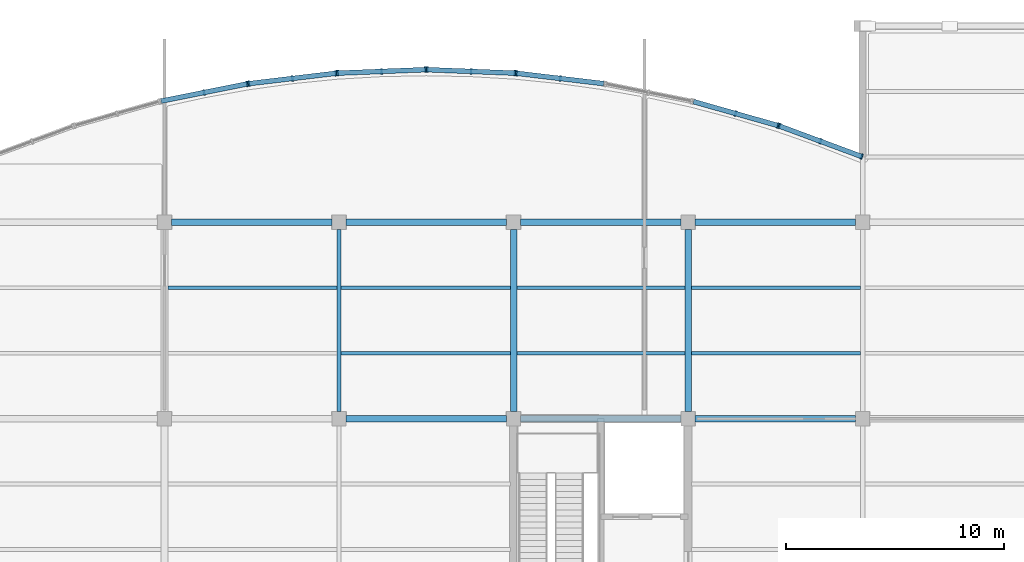
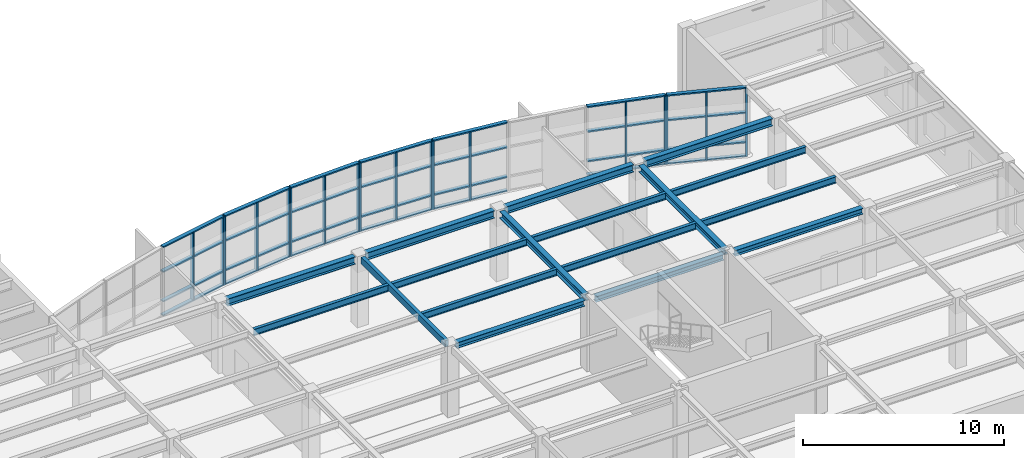
# One storey, part 4 of 16: 46 members, 17 beams, 7 elements without a shape of their own.
"""IFC4 building model written with IfcOpenShell, lengths in metres."""

from ifc_helpers import new_model, si_unit, direction, frame, origin, origin_2d, place, context, subcontext, project, spatial, rectangle, hollow_rectangle, i_section, extrude, material, layer, layer_set, material_profile, profile_set, type_object, element, aggregate, save


model = new_model("IFC4")

# Units and contexts
model_context = context("Model", 3, precision=1e-05, world=origin(), true_north=direction((0.0, 1.0)))
body_context = subcontext(model_context, "Body", "Model", "MODEL_VIEW")
ifc_project = project(units=[si_unit("LENGTHUNIT", "METRE"), si_unit("AREAUNIT", "SQUARE_METRE"), si_unit("VOLUMEUNIT", "CUBIC_METRE"), si_unit("PLANEANGLEUNIT", "RADIAN"), si_unit("MASSUNIT", "GRAM", prefix="KILO")], contexts=[model_context])

# Site, building, storey
site_placement = place(None, origin())
site = spatial("IfcSite", under=ifc_project, at=site_placement, CompositionType="ELEMENT")
building_placement = place(site_placement, origin())
building = spatial("IfcBuilding", under=site, at=building_placement, Name="Keelwater Ferry Terminal", CompositionType="ELEMENT")
storey_placement = place(building_placement, frame((0.0, 0.0, 15.0)))
storey = spatial("IfcBuildingStorey", under=building, at=storey_placement, Name="L03", CompositionType="ELEMENT", Elevation=15.0)

# Curtain wall, members
ifc_material_1 = material(Name="Thermally broken unitised aluminium and triple glass", Category="aluminium")
ifc_layer = layer(ifc_material_1, 0.179931640625)
ifc_layer_set = layer_set([ifc_layer], Name="Thermally broken unitised aluminium and triple glass")
curtain_wall_type = type_object("IfcCurtainWallType", Name="CW-22 Unitised Curtain Wall 4015x4150", PredefinedType="USERDEFINED", material=ifc_layer_set)
curtain_wall_1_placement = place(storey_placement, origin())
curtain_wall_1 = element("IfcCurtainWall", 1, at=curtain_wall_1_placement, inside=storey, type_object=curtain_wall_type, Name="Unitised Curtain Wall CW-L03-203", ObjectType="UNITISED CURTAIN WALL", PredefinedType="USERDEFINED")
ifc_material_2 = material(Name="Aluminium mullion", Category="aluminium")
ifc_material_profile_1 = material_profile(ifc_material_2, rectangle(XDim=0.080078125, YDim=0.25, at=origin_2d()), Name="CWM-04")
ifc_profile_set_1 = profile_set([ifc_material_profile_1], Name="Aluminium mullion")
member_type_1 = type_object("IfcMemberType", Name="CWM-04 Curtain Mullion 80x250", PredefinedType="MULLION", material=ifc_profile_set_1)
member_1_placement = place(storey_placement, frame((171.9580078125, 120.01611328125, 0.0), z_axis=(0.0, 0.0, 1.0), x_axis=(-0.937592418253, 0.347736189136, 0.0)))
member_1 = element("IfcMember", 2, at=member_1_placement, type_object=member_type_1, Name="CW-L03-203 Mullion 1", PredefinedType="MULLION", context=body_context, shape_type="SweptSolid", body=[
    extrude(rectangle(XDim=0.080078125, YDim=0.25, at=origin_2d()), origin(), (0.0, 0.0, 1.0), 4.14990234375),
])
member_2_placement = place(storey_placement, frame((170.075927734375, 120.714111328125, 0.0), z_axis=(0.0, 0.0, 1.0), x_axis=(-0.937592418253, 0.347736189136, 0.0)))
member_2 = element("IfcMember", 3, at=member_2_placement, type_object=member_type_1, Name="CW-L03-203 Mullion 2", PredefinedType="MULLION", context=body_context, shape_type="SweptSolid", body=[
    extrude(rectangle(XDim=0.080078125, YDim=0.25, at=origin_2d()), origin(), (0.0, 0.0, 1.0), 4.14990234375),
])
member_3_placement = place(storey_placement, frame((168.194091796875, 121.412109375, 0.0), z_axis=(0.0, 0.0, 1.0), x_axis=(-0.937592418253, 0.347736189136, 0.0)))
member_3 = element("IfcMember", 4, at=member_3_placement, type_object=member_type_1, Name="CW-L03-203 Mullion 3", PredefinedType="MULLION", context=body_context, shape_type="SweptSolid", body=[
    extrude(rectangle(XDim=0.080078125, YDim=0.25, at=origin_2d()), origin(), (0.0, 0.0, 1.0), 4.14990234375),
])

curtain_wall_2_placement = place(storey_placement, origin())
curtain_wall_2 = element("IfcCurtainWall", 5, at=curtain_wall_2_placement, inside=storey, type_object=curtain_wall_type, Name="Unitised Curtain Wall CW-L03-204", ObjectType="UNITISED CURTAIN WALL", PredefinedType="USERDEFINED")
member_4_placement = place(storey_placement, frame((168.10888671875, 121.43994140625, 0.0), z_axis=(0.0, 0.0, 1.0), x_axis=(-0.962029778706, 0.272944508797, 0.0)))
member_4 = element("IfcMember", 6, at=member_4_placement, type_object=member_type_1, Name="CW-L03-204 Mullion 1", PredefinedType="MULLION", context=body_context, shape_type="SweptSolid", body=[
    extrude(rectangle(XDim=0.080078125, YDim=0.25, at=origin_2d()), origin(), (0.0, 0.0, 1.0), 4.14990234375),
])
member_5_placement = place(storey_placement, frame((166.177490234375, 121.988037109375, 0.0), z_axis=(0.0, 0.0, 1.0), x_axis=(-0.962029778706, 0.272944508797, 0.0)))
member_5 = element("IfcMember", 7, at=member_5_placement, type_object=member_type_1, Name="CW-L03-204 Mullion 2", PredefinedType="MULLION", context=body_context, shape_type="SweptSolid", body=[
    extrude(rectangle(XDim=0.080078125, YDim=0.25, at=origin_2d()), origin(), (0.0, 0.0, 1.0), 4.14990234375),
])

curtain_wall_3_placement = place(storey_placement, origin())
curtain_wall_3 = element("IfcCurtainWall", 8, at=curtain_wall_3_placement, inside=storey, type_object=curtain_wall_type, Name="Unitised Curtain Wall CW-L03-206", ObjectType="UNITISED CURTAIN WALL", PredefinedType="USERDEFINED")
member_6_placement = place(storey_placement, frame((158.139892578125, 123.595458984375, 0.0), z_axis=(0.0, 0.0, 1.0), x_axis=(-0.992974342459, 0.118329857676, 0.0)))
member_6 = element("IfcMember", 9, at=member_6_placement, type_object=member_type_1, Name="CW-L03-206 Mullion 2", PredefinedType="MULLION", context=body_context, shape_type="SweptSolid", body=[
    extrude(rectangle(XDim=0.080078125, YDim=0.25, at=origin_2d()), origin(), (0.0, 0.0, 1.0), 4.14990234375),
])
member_7_placement = place(storey_placement, frame((156.14697265625, 123.8330078125, 0.0), z_axis=(0.0, 0.0, 1.0), x_axis=(-0.992974342459, 0.118329857676, 0.0)))
member_7 = element("IfcMember", 10, at=member_7_placement, type_object=member_type_1, Name="CW-L03-206 Mullion 3", PredefinedType="MULLION", context=body_context, shape_type="SweptSolid", body=[
    extrude(rectangle(XDim=0.080078125, YDim=0.25, at=origin_2d()), origin(), (0.0, 0.0, 1.0), 4.14990234375),
])

curtain_wall_4_placement = place(storey_placement, origin())
curtain_wall_4 = element("IfcCurtainWall", 11, at=curtain_wall_4_placement, inside=storey, type_object=curtain_wall_type, Name="Unitised Curtain Wall CW-L03-207", ObjectType="UNITISED CURTAIN WALL", PredefinedType="USERDEFINED")
member_8_placement = place(storey_placement, frame((156.056884765625, 123.840087890625, 0.0), z_axis=(0.0, 0.0, 1.0), x_axis=(-0.999225435626, 0.039351350652, 0.0)))
member_8 = element("IfcMember", 12, at=member_8_placement, type_object=member_type_1, Name="CW-L03-207 Mullion 1", PredefinedType="MULLION", context=body_context, shape_type="SweptSolid", body=[
    extrude(rectangle(XDim=0.080078125, YDim=0.25, at=origin_2d()), origin(), (0.0, 0.0, 1.0), 4.14990234375),
])
member_9_placement = place(storey_placement, frame((154.051025390625, 123.9189453125, 0.0), z_axis=(0.0, 0.0, 1.0), x_axis=(-0.999225435626, 0.039351350652, 0.0)))
member_9 = element("IfcMember", 13, at=member_9_placement, type_object=member_type_1, Name="CW-L03-207 Mullion 2", PredefinedType="MULLION", context=body_context, shape_type="SweptSolid", body=[
    extrude(rectangle(XDim=0.080078125, YDim=0.25, at=origin_2d()), origin(), (0.0, 0.0, 1.0), 4.14990234375),
])
member_10_placement = place(storey_placement, frame((152.044921875, 123.998046875, 0.0), z_axis=(0.0, 0.0, 1.0), x_axis=(-0.999225435626, 0.039351350652, 0.0)))
member_10 = element("IfcMember", 14, at=member_10_placement, type_object=member_type_1, Name="CW-L03-207 Mullion 3", PredefinedType="MULLION", context=body_context, shape_type="SweptSolid", body=[
    extrude(rectangle(XDim=0.080078125, YDim=0.25, at=origin_2d()), origin(), (0.0, 0.0, 1.0), 4.14990234375),
])

curtain_wall_5_placement = place(storey_placement, origin())
curtain_wall_5 = element("IfcCurtainWall", 15, at=curtain_wall_5_placement, inside=storey, type_object=curtain_wall_type, Name="Unitised Curtain Wall CW-L03-208", ObjectType="UNITISED CURTAIN WALL", PredefinedType="USERDEFINED")
member_11_placement = place(storey_placement, frame((151.955078125, 123.998046875, 0.0), z_axis=(0.0, 0.0, 1.0), x_axis=(-0.999225435626, -0.039351350652, 0.0)))
member_11 = element("IfcMember", 16, at=member_11_placement, type_object=member_type_1, Name="CW-L03-208 Mullion 1", PredefinedType="MULLION", context=body_context, shape_type="SweptSolid", body=[
    extrude(rectangle(XDim=0.080078125, YDim=0.25, at=origin_2d()), origin(), (0.0, 0.0, 1.0), 4.14990234375),
])
member_12_placement = place(storey_placement, frame((149.948974609375, 123.9189453125, 0.0), z_axis=(0.0, 0.0, 1.0), x_axis=(-0.999225435626, -0.039351350652, 0.0)))
member_12 = element("IfcMember", 17, at=member_12_placement, type_object=member_type_1, Name="CW-L03-208 Mullion 2", PredefinedType="MULLION", context=body_context, shape_type="SweptSolid", body=[
    extrude(rectangle(XDim=0.080078125, YDim=0.25, at=origin_2d()), origin(), (0.0, 0.0, 1.0), 4.14990234375),
])
member_13_placement = place(storey_placement, frame((147.943115234375, 123.840087890625, 0.0), z_axis=(0.0, 0.0, 1.0), x_axis=(-0.999225435626, -0.039351350652, 0.0)))
member_13 = element("IfcMember", 18, at=member_13_placement, type_object=member_type_1, Name="CW-L03-208 Mullion 3", PredefinedType="MULLION", context=body_context, shape_type="SweptSolid", body=[
    extrude(rectangle(XDim=0.080078125, YDim=0.25, at=origin_2d()), origin(), (0.0, 0.0, 1.0), 4.14990234375),
])

curtain_wall_6_placement = place(storey_placement, origin())
curtain_wall_6 = element("IfcCurtainWall", 19, at=curtain_wall_6_placement, inside=storey, type_object=curtain_wall_type, Name="Unitised Curtain Wall CW-L03-209", ObjectType="UNITISED CURTAIN WALL", PredefinedType="USERDEFINED")
member_14_placement = place(storey_placement, frame((147.85302734375, 123.8330078125, 0.0), z_axis=(0.0, 0.0, 1.0), x_axis=(-0.992974342459, -0.118329857676, 0.0)))
member_14 = element("IfcMember", 20, at=member_14_placement, type_object=member_type_1, Name="CW-L03-209 Mullion 1", PredefinedType="MULLION", context=body_context, shape_type="SweptSolid", body=[
    extrude(rectangle(XDim=0.080078125, YDim=0.25, at=origin_2d()), origin(), (0.0, 0.0, 1.0), 4.14990234375),
])
member_15_placement = place(storey_placement, frame((145.860107421875, 123.595458984375, 0.0), z_axis=(0.0, 0.0, 1.0), x_axis=(-0.992974342459, -0.118329857676, 0.0)))
member_15 = element("IfcMember", 21, at=member_15_placement, type_object=member_type_1, Name="CW-L03-209 Mullion 2", PredefinedType="MULLION", context=body_context, shape_type="SweptSolid", body=[
    extrude(rectangle(XDim=0.080078125, YDim=0.25, at=origin_2d()), origin(), (0.0, 0.0, 1.0), 4.14990234375),
])
member_16_placement = place(storey_placement, frame((143.866943359375, 123.35791015625, 0.0), z_axis=(0.0, 0.0, 1.0), x_axis=(-0.992974342459, -0.118329857676, 0.0)))
member_16 = element("IfcMember", 22, at=member_16_placement, type_object=member_type_1, Name="CW-L03-209 Mullion 3", PredefinedType="MULLION", context=body_context, shape_type="SweptSolid", body=[
    extrude(rectangle(XDim=0.080078125, YDim=0.25, at=origin_2d()), origin(), (0.0, 0.0, 1.0), 4.14990234375),
])

curtain_wall_7_placement = place(storey_placement, origin())
curtain_wall_7 = element("IfcCurtainWall", 23, at=curtain_wall_7_placement, inside=storey, type_object=curtain_wall_type, Name="Unitised Curtain Wall CW-L03-210", ObjectType="UNITISED CURTAIN WALL", PredefinedType="USERDEFINED")
member_17_placement = place(storey_placement, frame((143.778076171875, 123.343994140625, 0.0), z_axis=(0.0, 0.0, 1.0), x_axis=(-0.98059983046, -0.196020336958, 0.0)))
member_17 = element("IfcMember", 24, at=member_17_placement, type_object=member_type_1, Name="CW-L03-210 Mullion 1", PredefinedType="MULLION", context=body_context, shape_type="SweptSolid", body=[
    extrude(rectangle(XDim=0.080078125, YDim=0.25, at=origin_2d()), origin(), (0.0, 0.0, 1.0), 4.14990234375),
])
member_18_placement = place(storey_placement, frame((141.8095703125, 122.950439453125, 0.0), z_axis=(0.0, 0.0, 1.0), x_axis=(-0.98059983046, -0.196020336958, 0.0)))
member_18 = element("IfcMember", 25, at=member_18_placement, type_object=member_type_1, Name="CW-L03-210 Mullion 2", PredefinedType="MULLION", context=body_context, shape_type="SweptSolid", body=[
    extrude(rectangle(XDim=0.080078125, YDim=0.25, at=origin_2d()), origin(), (0.0, 0.0, 1.0), 4.14990234375),
])

# Member
ifc_material_3 = material(Name="Aluminium mullion", Category="aluminium")
ifc_material_profile_2 = material_profile(ifc_material_3, rectangle(XDim=0.219970703125, YDim=0.080078125, at=origin_2d()), Name="CWT-04")
ifc_profile_set_2 = profile_set([ifc_material_profile_2], Name="Aluminium mullion")
member_type_2 = type_object("IfcMemberType", Name="CWT-04 Curtain Transom 80x220", PredefinedType="USERDEFINED", material=ifc_profile_set_2)
member_19_placement = place(storey_placement, frame((171.9580078125, 120.01611328125, 0.0), z_axis=(-0.937590205769, 0.347742154543, 0.0), x_axis=(-0.347742154543, -0.937590205769, 0.0)))
member_19 = element("IfcMember", 26, at=member_19_placement, type_object=member_type_2, Name="CW-L03-203 Transom 1", ObjectType="TRANSOM", PredefinedType="USERDEFINED", context=body_context, shape_type="SweptSolid", body=[
    extrude(rectangle(XDim=0.219970703125, YDim=0.080078125, at=origin_2d()), origin(), (0.0, 0.0, 1.0), 4.014404296875),
])

member_20_placement = place(storey_placement, frame((171.9580078125, 120.01611328125, 0.85009765625), z_axis=(-0.937590205769, 0.347742154543, 0.0), x_axis=(-0.347742154543, -0.937590205769, 0.0)))
member_20 = element("IfcMember", 27, at=member_20_placement, type_object=member_type_2, Name="CW-L03-203 Transom 2", ObjectType="TRANSOM", PredefinedType="USERDEFINED", context=body_context, shape_type="SweptSolid", body=[
    extrude(rectangle(XDim=0.219970703125, YDim=0.080078125, at=origin_2d()), origin(), (0.0, 0.0, 1.0), 4.014404296875),
])

member_21_placement = place(storey_placement, frame((171.9580078125, 120.01611328125, 2.64990234375), z_axis=(-0.937590205769, 0.347742154543, 0.0), x_axis=(-0.347742154543, -0.937590205769, 0.0)))
member_21 = element("IfcMember", 28, at=member_21_placement, type_object=member_type_2, Name="CW-L03-203 Transom 3", ObjectType="TRANSOM", PredefinedType="USERDEFINED", context=body_context, shape_type="SweptSolid", body=[
    extrude(rectangle(XDim=0.219970703125, YDim=0.080078125, at=origin_2d()), origin(), (0.0, 0.0, 1.0), 4.014404296875),
])

member_22_placement = place(storey_placement, frame((171.9580078125, 120.01611328125, 4.14990234375), z_axis=(-0.937590205769, 0.347742154543, 0.0), x_axis=(-0.347742154543, -0.937590205769, 0.0)))
member_22 = element("IfcMember", 29, at=member_22_placement, type_object=member_type_2, Name="CW-L03-203 Transom 4", ObjectType="TRANSOM", PredefinedType="USERDEFINED", context=body_context, shape_type="SweptSolid", body=[
    extrude(rectangle(XDim=0.219970703125, YDim=0.080078125, at=origin_2d()), origin(), (0.0, 0.0, 1.0), 4.014404296875),
])

aggregate(curtain_wall_1, [member_1, member_2, member_3, member_19, member_20, member_21, member_22])

member_23_placement = place(storey_placement, frame((168.10888671875, 121.43994140625, 0.0), z_axis=(-0.962029386072, 0.272945892686, 0.0), x_axis=(-0.272945892686, -0.962029386072, 0.0)))
member_23 = element("IfcMember", 30, at=member_23_placement, type_object=member_type_2, Name="CW-L03-204 Transom 1", ObjectType="TRANSOM", PredefinedType="USERDEFINED", context=body_context, shape_type="SweptSolid", body=[
    extrude(rectangle(XDim=0.219970703125, YDim=0.080078125, at=origin_2d()), origin(), (0.0, 0.0, 1.0), 4.01513671875),
])

member_24_placement = place(storey_placement, frame((168.10888671875, 121.43994140625, 0.85009765625), z_axis=(-0.962029386072, 0.272945892686, 0.0), x_axis=(-0.272945892686, -0.962029386072, 0.0)))
member_24 = element("IfcMember", 31, at=member_24_placement, type_object=member_type_2, Name="CW-L03-204 Transom 2", ObjectType="TRANSOM", PredefinedType="USERDEFINED", context=body_context, shape_type="SweptSolid", body=[
    extrude(rectangle(XDim=0.219970703125, YDim=0.080078125, at=origin_2d()), origin(), (0.0, 0.0, 1.0), 4.01513671875),
])

member_25_placement = place(storey_placement, frame((168.10888671875, 121.43994140625, 2.64990234375), z_axis=(-0.962029386072, 0.272945892686, 0.0), x_axis=(-0.272945892686, -0.962029386072, 0.0)))
member_25 = element("IfcMember", 32, at=member_25_placement, type_object=member_type_2, Name="CW-L03-204 Transom 3", ObjectType="TRANSOM", PredefinedType="USERDEFINED", context=body_context, shape_type="SweptSolid", body=[
    extrude(rectangle(XDim=0.219970703125, YDim=0.080078125, at=origin_2d()), origin(), (0.0, 0.0, 1.0), 4.01513671875),
])

member_26_placement = place(storey_placement, frame((168.10888671875, 121.43994140625, 4.14990234375), z_axis=(-0.962029386072, 0.272945892686, 0.0), x_axis=(-0.272945892686, -0.962029386072, 0.0)))
member_26 = element("IfcMember", 33, at=member_26_placement, type_object=member_type_2, Name="CW-L03-204 Transom 4", ObjectType="TRANSOM", PredefinedType="USERDEFINED", context=body_context, shape_type="SweptSolid", body=[
    extrude(rectangle(XDim=0.219970703125, YDim=0.080078125, at=origin_2d()), origin(), (0.0, 0.0, 1.0), 4.01513671875),
])

aggregate(curtain_wall_2, [member_4, member_5, member_23, member_24, member_25, member_26])

member_27_placement = place(storey_placement, frame((160.133056640625, 123.35791015625, 0.0), z_axis=(-0.992971776767, 0.1183513859, 0.0), x_axis=(-0.1183513859, -0.992971776767, 0.0)))
member_27 = element("IfcMember", 34, at=member_27_placement, type_object=member_type_2, Name="CW-L03-206 Transom 1", ObjectType="TRANSOM", PredefinedType="USERDEFINED", context=body_context, shape_type="SweptSolid", body=[
    extrude(rectangle(XDim=0.219970703125, YDim=0.080078125, at=origin_2d()), origin(), (0.0, 0.0, 1.0), 4.014404296875),
])

member_28_placement = place(storey_placement, frame((160.133056640625, 123.35791015625, 0.85009765625), z_axis=(-0.992971776767, 0.1183513859, 0.0), x_axis=(-0.1183513859, -0.992971776767, 0.0)))
member_28 = element("IfcMember", 35, at=member_28_placement, type_object=member_type_2, Name="CW-L03-206 Transom 2", ObjectType="TRANSOM", PredefinedType="USERDEFINED", context=body_context, shape_type="SweptSolid", body=[
    extrude(rectangle(XDim=0.219970703125, YDim=0.080078125, at=origin_2d()), origin(), (0.0, 0.0, 1.0), 4.014404296875),
])

member_29_placement = place(storey_placement, frame((160.133056640625, 123.35791015625, 2.64990234375), z_axis=(-0.992971776767, 0.1183513859, 0.0), x_axis=(-0.1183513859, -0.992971776767, 0.0)))
member_29 = element("IfcMember", 36, at=member_29_placement, type_object=member_type_2, Name="CW-L03-206 Transom 3", ObjectType="TRANSOM", PredefinedType="USERDEFINED", context=body_context, shape_type="SweptSolid", body=[
    extrude(rectangle(XDim=0.219970703125, YDim=0.080078125, at=origin_2d()), origin(), (0.0, 0.0, 1.0), 4.014404296875),
])

member_30_placement = place(storey_placement, frame((160.133056640625, 123.35791015625, 4.14990234375), z_axis=(-0.992971776767, 0.1183513859, 0.0), x_axis=(-0.1183513859, -0.992971776767, 0.0)))
member_30 = element("IfcMember", 37, at=member_30_placement, type_object=member_type_2, Name="CW-L03-206 Transom 4", ObjectType="TRANSOM", PredefinedType="USERDEFINED", context=body_context, shape_type="SweptSolid", body=[
    extrude(rectangle(XDim=0.219970703125, YDim=0.080078125, at=origin_2d()), origin(), (0.0, 0.0, 1.0), 4.014404296875),
])

aggregate(curtain_wall_3, [member_6, member_7, member_27, member_28, member_29, member_30])

member_31_placement = place(storey_placement, frame((156.056884765625, 123.840087890625, 0.0), z_axis=(-0.999225822944, 0.03934151448, 0.0), x_axis=(-0.03934151448, -0.999225822944, 0.0)))
member_31 = element("IfcMember", 38, at=member_31_placement, type_object=member_type_2, Name="CW-L03-207 Transom 1", ObjectType="TRANSOM", PredefinedType="USERDEFINED", context=body_context, shape_type="SweptSolid", body=[
    extrude(rectangle(XDim=0.219970703125, YDim=0.080078125, at=origin_2d()), origin(), (0.0, 0.0, 1.0), 4.01513671875),
])

member_32_placement = place(storey_placement, frame((156.056884765625, 123.840087890625, 0.85009765625), z_axis=(-0.999225822944, 0.03934151448, 0.0), x_axis=(-0.03934151448, -0.999225822944, 0.0)))
member_32 = element("IfcMember", 39, at=member_32_placement, type_object=member_type_2, Name="CW-L03-207 Transom 2", ObjectType="TRANSOM", PredefinedType="USERDEFINED", context=body_context, shape_type="SweptSolid", body=[
    extrude(rectangle(XDim=0.219970703125, YDim=0.080078125, at=origin_2d()), origin(), (0.0, 0.0, 1.0), 4.01513671875),
])

member_33_placement = place(storey_placement, frame((156.056884765625, 123.840087890625, 2.64990234375), z_axis=(-0.999225822944, 0.03934151448, 0.0), x_axis=(-0.03934151448, -0.999225822944, 0.0)))
member_33 = element("IfcMember", 40, at=member_33_placement, type_object=member_type_2, Name="CW-L03-207 Transom 3", ObjectType="TRANSOM", PredefinedType="USERDEFINED", context=body_context, shape_type="SweptSolid", body=[
    extrude(rectangle(XDim=0.219970703125, YDim=0.080078125, at=origin_2d()), origin(), (0.0, 0.0, 1.0), 4.01513671875),
])

member_34_placement = place(storey_placement, frame((156.056884765625, 123.840087890625, 4.14990234375), z_axis=(-0.999225822944, 0.03934151448, 0.0), x_axis=(-0.03934151448, -0.999225822944, 0.0)))
member_34 = element("IfcMember", 41, at=member_34_placement, type_object=member_type_2, Name="CW-L03-207 Transom 4", ObjectType="TRANSOM", PredefinedType="USERDEFINED", context=body_context, shape_type="SweptSolid", body=[
    extrude(rectangle(XDim=0.219970703125, YDim=0.080078125, at=origin_2d()), origin(), (0.0, 0.0, 1.0), 4.01513671875),
])

aggregate(curtain_wall_4, [member_8, member_9, member_10, member_31, member_32, member_33, member_34])

member_35_placement = place(storey_placement, frame((151.955078125, 123.998046875, 0.0), z_axis=(-0.999225822944, -0.03934151448, 0.0), x_axis=(0.03934151448, -0.999225822944, 0.0)))
member_35 = element("IfcMember", 42, at=member_35_placement, type_object=member_type_2, Name="CW-L03-208 Transom 1", ObjectType="TRANSOM", PredefinedType="USERDEFINED", context=body_context, shape_type="SweptSolid", body=[
    extrude(rectangle(XDim=0.219970703125, YDim=0.080078125, at=origin_2d()), origin(), (0.0, 0.0, 1.0), 4.01513671875),
])

member_36_placement = place(storey_placement, frame((151.955078125, 123.998046875, 0.85009765625), z_axis=(-0.999225822944, -0.03934151448, 0.0), x_axis=(0.03934151448, -0.999225822944, 0.0)))
member_36 = element("IfcMember", 43, at=member_36_placement, type_object=member_type_2, Name="CW-L03-208 Transom 2", ObjectType="TRANSOM", PredefinedType="USERDEFINED", context=body_context, shape_type="SweptSolid", body=[
    extrude(rectangle(XDim=0.219970703125, YDim=0.080078125, at=origin_2d()), origin(), (0.0, 0.0, 1.0), 4.01513671875),
])

member_37_placement = place(storey_placement, frame((151.955078125, 123.998046875, 2.64990234375), z_axis=(-0.999225822944, -0.03934151448, 0.0), x_axis=(0.03934151448, -0.999225822944, 0.0)))
member_37 = element("IfcMember", 44, at=member_37_placement, type_object=member_type_2, Name="CW-L03-208 Transom 3", ObjectType="TRANSOM", PredefinedType="USERDEFINED", context=body_context, shape_type="SweptSolid", body=[
    extrude(rectangle(XDim=0.219970703125, YDim=0.080078125, at=origin_2d()), origin(), (0.0, 0.0, 1.0), 4.01513671875),
])

member_38_placement = place(storey_placement, frame((151.955078125, 123.998046875, 4.14990234375), z_axis=(-0.999225822944, -0.03934151448, 0.0), x_axis=(0.03934151448, -0.999225822944, 0.0)))
member_38 = element("IfcMember", 45, at=member_38_placement, type_object=member_type_2, Name="CW-L03-208 Transom 4", ObjectType="TRANSOM", PredefinedType="USERDEFINED", context=body_context, shape_type="SweptSolid", body=[
    extrude(rectangle(XDim=0.219970703125, YDim=0.080078125, at=origin_2d()), origin(), (0.0, 0.0, 1.0), 4.01513671875),
])

aggregate(curtain_wall_5, [member_11, member_12, member_13, member_35, member_36, member_37, member_38])

member_39_placement = place(storey_placement, frame((147.85302734375, 123.8330078125, 0.0), z_axis=(-0.992971776767, -0.1183513859, 0.0), x_axis=(0.1183513859, -0.992971776767, 0.0)))
member_39 = element("IfcMember", 46, at=member_39_placement, type_object=member_type_2, Name="CW-L03-209 Transom 1", ObjectType="TRANSOM", PredefinedType="USERDEFINED", context=body_context, shape_type="SweptSolid", body=[
    extrude(rectangle(XDim=0.219970703125, YDim=0.080078125, at=origin_2d()), origin(), (0.0, 0.0, 1.0), 4.014404296875),
])

member_40_placement = place(storey_placement, frame((147.85302734375, 123.8330078125, 0.85009765625), z_axis=(-0.992971776767, -0.1183513859, 0.0), x_axis=(0.1183513859, -0.992971776767, 0.0)))
member_40 = element("IfcMember", 47, at=member_40_placement, type_object=member_type_2, Name="CW-L03-209 Transom 2", ObjectType="TRANSOM", PredefinedType="USERDEFINED", context=body_context, shape_type="SweptSolid", body=[
    extrude(rectangle(XDim=0.219970703125, YDim=0.080078125, at=origin_2d()), origin(), (0.0, 0.0, 1.0), 4.014404296875),
])

member_41_placement = place(storey_placement, frame((147.85302734375, 123.8330078125, 2.64990234375), z_axis=(-0.992971776767, -0.1183513859, 0.0), x_axis=(0.1183513859, -0.992971776767, 0.0)))
member_41 = element("IfcMember", 48, at=member_41_placement, type_object=member_type_2, Name="CW-L03-209 Transom 3", ObjectType="TRANSOM", PredefinedType="USERDEFINED", context=body_context, shape_type="SweptSolid", body=[
    extrude(rectangle(XDim=0.219970703125, YDim=0.080078125, at=origin_2d()), origin(), (0.0, 0.0, 1.0), 4.014404296875),
])

member_42_placement = place(storey_placement, frame((147.85302734375, 123.8330078125, 4.14990234375), z_axis=(-0.992971776767, -0.1183513859, 0.0), x_axis=(0.1183513859, -0.992971776767, 0.0)))
member_42 = element("IfcMember", 49, at=member_42_placement, type_object=member_type_2, Name="CW-L03-209 Transom 4", ObjectType="TRANSOM", PredefinedType="USERDEFINED", context=body_context, shape_type="SweptSolid", body=[
    extrude(rectangle(XDim=0.219970703125, YDim=0.080078125, at=origin_2d()), origin(), (0.0, 0.0, 1.0), 4.014404296875),
])

aggregate(curtain_wall_6, [member_14, member_15, member_16, member_39, member_40, member_41, member_42])

member_43_placement = place(storey_placement, frame((143.778076171875, 123.343994140625, 0.0), z_axis=(-0.980594705866, -0.196045971209, 0.0), x_axis=(0.196045971209, -0.980594705866, 0.0)))
member_43 = element("IfcMember", 50, at=member_43_placement, type_object=member_type_2, Name="CW-L03-210 Transom 1", ObjectType="TRANSOM", PredefinedType="USERDEFINED", context=body_context, shape_type="SweptSolid", body=[
    extrude(rectangle(XDim=0.219970703125, YDim=0.080078125, at=origin_2d()), origin(), (0.0, 0.0, 1.0), 4.014892578125),
])

member_44_placement = place(storey_placement, frame((143.778076171875, 123.343994140625, 0.85009765625), z_axis=(-0.980594705866, -0.196045971209, 0.0), x_axis=(0.196045971209, -0.980594705866, 0.0)))
member_44 = element("IfcMember", 51, at=member_44_placement, type_object=member_type_2, Name="CW-L03-210 Transom 2", ObjectType="TRANSOM", PredefinedType="USERDEFINED", context=body_context, shape_type="SweptSolid", body=[
    extrude(rectangle(XDim=0.219970703125, YDim=0.080078125, at=origin_2d()), origin(), (0.0, 0.0, 1.0), 4.014892578125),
])

member_45_placement = place(storey_placement, frame((143.778076171875, 123.343994140625, 2.64990234375), z_axis=(-0.980594705866, -0.196045971209, 0.0), x_axis=(0.196045971209, -0.980594705866, 0.0)))
member_45 = element("IfcMember", 52, at=member_45_placement, type_object=member_type_2, Name="CW-L03-210 Transom 3", ObjectType="TRANSOM", PredefinedType="USERDEFINED", context=body_context, shape_type="SweptSolid", body=[
    extrude(rectangle(XDim=0.219970703125, YDim=0.080078125, at=origin_2d()), origin(), (0.0, 0.0, 1.0), 4.014892578125),
])

member_46_placement = place(storey_placement, frame((143.778076171875, 123.343994140625, 4.14990234375), z_axis=(-0.980594705866, -0.196045971209, 0.0), x_axis=(0.196045971209, -0.980594705866, 0.0)))
member_46 = element("IfcMember", 53, at=member_46_placement, type_object=member_type_2, Name="CW-L03-210 Transom 4", ObjectType="TRANSOM", PredefinedType="USERDEFINED", context=body_context, shape_type="SweptSolid", body=[
    extrude(rectangle(XDim=0.219970703125, YDim=0.080078125, at=origin_2d()), origin(), (0.0, 0.0, 1.0), 4.014892578125),
])

aggregate(curtain_wall_7, [member_17, member_18, member_43, member_44, member_45, member_46])

# Beams
ifc_material_4 = material(Name="Steel S355", Category="steel")
ifc_material_profile_3 = material_profile(ifc_material_4, i_section(OverallWidth=0.300048828125, OverallDepth=0.449951171875, WebThickness=0.013916015625, FlangeThickness=0.02587890625, at=origin_2d()), Name="HEB 450")
ifc_profile_set_3 = profile_set([ifc_material_profile_3], Name="Steel S355")
beam_type_1 = type_object("IfcBeamType", Name="G6 HEB 450", PredefinedType="BEAM", material=ifc_profile_set_3)
for number, where, z_axis, x_axis, name in (
    (54, (140.318115234375, 117.0, 4.014892578125), (1.0, 0.0, 0.0), (0.0, 1.0, 0.0), "Beam BM-L03-1324"),
    (55, (148.318115234375, 117.0, 4.014892578125), (1.0, 0.0, 0.0), (0.0, 1.0, 0.0), "Beam BM-L03-1325"),
    (56, (156.318115234375, 117.0, 4.014892578125), (1.0, 0.0, 0.0), (0.0, 1.0, 0.0), "Beam BM-L03-1326"),
    (57, (164.318115234375, 117.0, 4.014892578125), (1.0, 0.0, 0.0), (0.0, 1.0, 0.0), "Beam BM-L03-1327"),
):
    element("IfcBeam", number, at=place(storey_placement, frame(where, z_axis=z_axis, x_axis=x_axis)), inside=storey, type_object=beam_type_1, Name=name, PredefinedType="BEAM", context=body_context, shape_type="SweptSolid", body=[
        extrude(i_section(OverallWidth=0.300048828125, OverallDepth=0.449951171875, WebThickness=0.013916015625, FlangeThickness=0.02587890625, at=origin_2d()), origin(), (0.0, 0.0, 1.0), 7.36376953125),
    ])
ifc_material_5 = material(Name="Steel S355", Category="steel")
ifc_material_profile_4 = material_profile(ifc_material_5, i_section(OverallWidth=0.300048828125, OverallDepth=0.39990234375, WebThickness=0.013427734375, FlangeThickness=0.02392578125, at=origin_2d()), Name="HEB 400")
ifc_profile_set_4 = profile_set([ifc_material_profile_4], Name="Steel S355")
beam_type_2 = type_object("IfcBeamType", Name="G7 HEB 400", PredefinedType="BEAM", material=ifc_profile_set_4)
for number, where, z_axis, x_axis, name in (
    (58, (156.0, 108.318115234375, 4.0400390625), (0.0, 1.0, 0.0), (-1.0, 0.0, 0.0), "Beam BM-L03-1364"),
    (59, (164.0, 108.318115234375, 4.0400390625), (0.0, 1.0, 0.0), (-1.0, 0.0, 0.0), "Beam BM-L03-1370"),
):
    element("IfcBeam", number, at=place(storey_placement, frame(where, z_axis=z_axis, x_axis=x_axis)), inside=storey, type_object=beam_type_2, Name=name, PredefinedType="BEAM", context=body_context, shape_type="SweptSolid", body=[
        extrude(i_section(OverallWidth=0.300048828125, OverallDepth=0.39990234375, WebThickness=0.013427734375, FlangeThickness=0.02392578125, at=origin_2d()), origin(), (0.0, 0.0, 1.0), 8.36376953125),
    ])
ifc_material_6 = material(Name="Steel S355", Category="steel")
ifc_material_profile_5 = material_profile(ifc_material_6, i_section(OverallWidth=0.179931640625, OverallDepth=0.39990234375, WebThickness=0.008544921875, FlangeThickness=0.013427734375, at=origin_2d()), Name="IPE 400")
ifc_profile_set_5 = profile_set([ifc_material_profile_5], Name="Steel S355")
beam_type_3 = type_object("IfcBeamType", Name="J5 IPE 400", PredefinedType="JOIST", material=ifc_profile_set_5)
for number, where, z_axis, x_axis, name in (
    (60, (140.14990234375, 114.0, 4.0400390625), (1.0, 0.0, 0.0), (0.0, 1.0, 0.0), "Beam BM-L03-1421"),
    (61, (148.10009765625, 111.0, 4.0400390625), (1.0, 0.0, 0.0), (0.0, 1.0, 0.0), "Beam BM-L03-1430"),
    (62, (148.10009765625, 114.0, 4.0400390625), (1.0, 0.0, 0.0), (0.0, 1.0, 0.0), "Beam BM-L03-1431"),
):
    element("IfcBeam", number, at=place(storey_placement, frame(where, z_axis=z_axis, x_axis=x_axis)), inside=storey, type_object=beam_type_3, Name=name, PredefinedType="JOIST", context=body_context, shape_type="SweptSolid", body=[
        extrude(i_section(OverallWidth=0.179931640625, OverallDepth=0.39990234375, WebThickness=0.008544921875, FlangeThickness=0.013427734375, at=origin_2d()), origin(), (0.0, 0.0, 1.0), 7.75),
    ])
for number, where, z_axis, x_axis, name in (
    (63, (156.14990234375, 111.0, 4.0400390625), (1.0, 0.0, 0.0), (0.0, 1.0, 0.0), "Beam BM-L03-1438"),
    (64, (156.14990234375, 114.0, 4.0400390625), (1.0, 0.0, 0.0), (0.0, 1.0, 0.0), "Beam BM-L03-1439"),
):
    element("IfcBeam", number, at=place(storey_placement, frame(where, z_axis=z_axis, x_axis=x_axis)), inside=storey, type_object=beam_type_3, Name=name, PredefinedType="JOIST", context=body_context, shape_type="SweptSolid", body=[
        extrude(i_section(OverallWidth=0.179931640625, OverallDepth=0.39990234375, WebThickness=0.008544921875, FlangeThickness=0.013427734375, at=origin_2d()), origin(), (0.0, 0.0, 1.0), 7.7001953125),
    ])
for number, where, z_axis, x_axis, name in (
    (65, (164.14990234375, 111.0, 4.0400390625), (1.0, 0.0, 0.0), (0.0, 1.0, 0.0), "Beam BM-L03-1444"),
    (66, (164.14990234375, 114.0, 4.0400390625), (1.0, 0.0, 0.0), (0.0, 1.0, 0.0), "Beam BM-L03-1445"),
):
    element("IfcBeam", number, at=place(storey_placement, frame(where, z_axis=z_axis, x_axis=x_axis)), inside=storey, type_object=beam_type_3, Name=name, PredefinedType="JOIST", context=body_context, shape_type="SweptSolid", body=[
        extrude(i_section(OverallWidth=0.179931640625, OverallDepth=0.39990234375, WebThickness=0.008544921875, FlangeThickness=0.013427734375, at=origin_2d()), origin(), (0.0, 0.0, 1.0), 7.75),
    ])
ifc_material_7 = material(Name="Steel S355", Category="steel")
ifc_material_profile_6 = material_profile(ifc_material_7, i_section(OverallWidth=0.300048828125, OverallDepth=0.35009765625, WebThickness=0.010009765625, FlangeThickness=0.017578125, at=origin_2d()), Name="HEA 360")
ifc_profile_set_6 = profile_set([ifc_material_profile_6], Name="Steel S355")
beam_type_4 = type_object("IfcBeamType", Name="SP1E HEA 360", PredefinedType="SPANDREL", material=ifc_profile_set_6)
for number, where, z_axis, x_axis, name in (
    (67, (148.318115234375, 108.0, 4.06494140625), (1.0, 0.0, 0.0), (0.0, 1.0, 0.0), "Beam BM-L03-1317"),
    (68, (156.318115234375, 108.0, 4.06494140625), (1.0, 0.0, 0.0), (0.0, 1.0, 0.0), "Beam BM-L03-1318"),
    (69, (164.318115234375, 108.0, 4.06494140625), (1.0, 0.0, 0.0), (0.0, 1.0, 0.0), "Beam BM-L03-1319"),
):
    element("IfcBeam", number, at=place(storey_placement, frame(where, z_axis=z_axis, x_axis=x_axis)), inside=storey, type_object=beam_type_4, Name=name, PredefinedType="SPANDREL", context=body_context, shape_type="SweptSolid", body=[
        extrude(i_section(OverallWidth=0.300048828125, OverallDepth=0.35009765625, WebThickness=0.010009765625, FlangeThickness=0.017578125, at=origin_2d()), origin(), (0.0, 0.0, 1.0), 7.36376953125),
    ])
ifc_material_8 = material(Name="Steel S355", Category="steel")
ifc_material_profile_7 = material_profile(ifc_material_8, hollow_rectangle(XDim=0.199951171875, YDim=0.39990234375, WallThickness=0.01611328125, at=origin_2d()), Name="RHS 400x200x16")
ifc_profile_set_7 = profile_set([ifc_material_profile_7], Name="Steel S355")
beam_type_5 = type_object("IfcBeamType", Name="SP3E RHS 400x200x16", PredefinedType="SPANDREL", material=ifc_profile_set_7)
beam_placement = place(storey_placement, frame((148.0, 108.318115234375, 4.0400390625), z_axis=(0.0, 1.0, 0.0), x_axis=(-1.0, 0.0, 0.0)))
element("IfcBeam", 70, at=beam_placement, inside=storey, type_object=beam_type_5, Name="Beam BM-L03-1358", PredefinedType="SPANDREL", context=body_context, shape_type="SweptSolid", body=[
    extrude(hollow_rectangle(XDim=0.199951171875, YDim=0.39990234375, WallThickness=0.01611328125, at=origin_2d()), origin(), (0.0, 0.0, 1.0), 8.36376953125),
])

save(model, "model.ifc")
